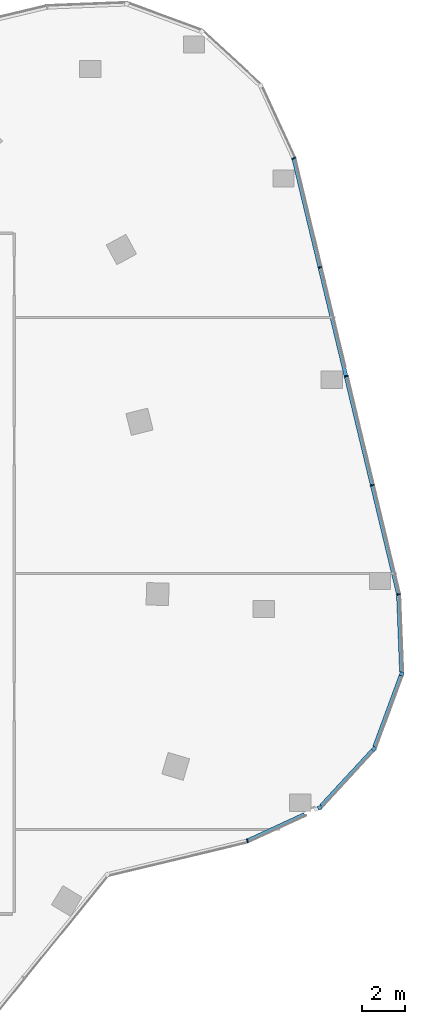
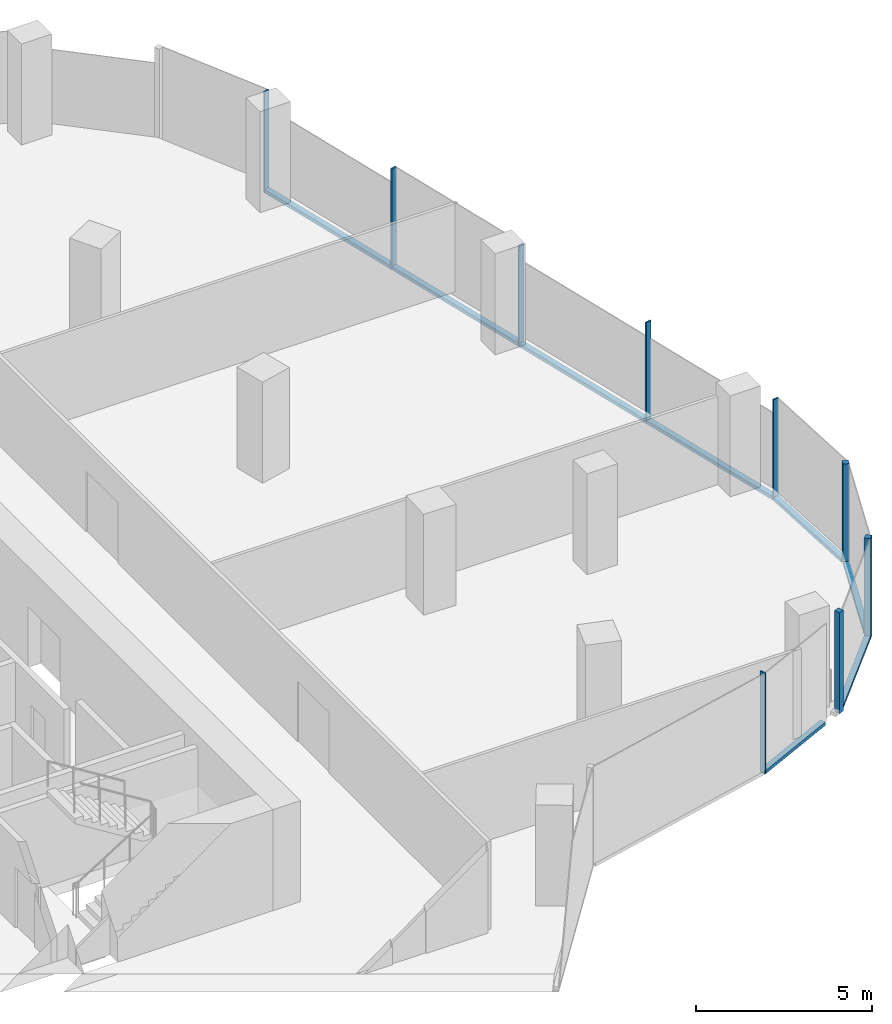
# One storey, part 9 of 23: 14 members, 6 elements without a shape of their own.
"""IFC4 building model written with IfcOpenShell, lengths in metres."""

from ifc_helpers import new_model, si_unit, direction, frame, origin, origin_2d, place, context, subcontext, project, spatial, rectangle, extrude, material, material_profile, profile_set, type_object, element, aggregate, save


model = new_model("IFC4")

# Units and contexts
model_context = context("Model", 3, precision=1e-05, world=origin(), true_north=direction((0.0, 1.0)))
body_context = subcontext(model_context, "Body", "Model", "MODEL_VIEW")
ifc_project = project(units=[si_unit("LENGTHUNIT", "METRE"), si_unit("AREAUNIT", "SQUARE_METRE"), si_unit("VOLUMEUNIT", "CUBIC_METRE"), si_unit("PLANEANGLEUNIT", "RADIAN"), si_unit("MASSUNIT", "GRAM", prefix="KILO")], contexts=[model_context])

# Site, building, storey
site_placement = place(None, origin())
site = spatial("IfcSite", under=ifc_project, at=site_placement, CompositionType="ELEMENT")
building_placement = place(site_placement, origin())
building = spatial("IfcBuilding", under=site, at=building_placement, Name="Orlundy Tower", CompositionType="ELEMENT")
storey_placement = place(building_placement, frame((0.0, 0.0, 224.5)))
storey = spatial("IfcBuildingStorey", under=building, at=storey_placement, Name="L59", CompositionType="ELEMENT", Elevation=224.5)

# Curtain wall, member
ifc_material_1 = material(Name="Aluminium bronze anodised", Category="aluminium")
curtain_wall_type = type_object("IfcCurtainWallType", Name="CW1 wall", PredefinedType="NOTDEFINED", material=ifc_material_1)
curtain_wall_1_placement = place(storey_placement, origin())
curtain_wall_1 = element("IfcCurtainWall", 1, at=curtain_wall_1_placement, inside=storey, type_object=curtain_wall_type, Name="CW1 run 013", PredefinedType="NOTDEFINED")
ifc_material_2 = material(Name="Aluminium bronze anodised", Category="aluminium")
ifc_material_profile_1 = material_profile(ifc_material_2, rectangle(XDim=0.179931640625, YDim=0.179931640625, at=origin_2d()), Name="CW1 corner post 180x180")
ifc_profile_set_1 = profile_set([ifc_material_profile_1], Name="Aluminium bronze anodised")
member_type_1 = type_object("IfcMemberType", Name="CW1 corner post 180x180", PredefinedType="MULLION", material=ifc_profile_set_1)
member_1_placement = place(storey_placement, frame((41.095703125, -4.707275390625, -0.419921875), z_axis=(0.0, 0.0, 1.0), x_axis=(0.938167941859, -0.346180462863, 0.0)))
member_1 = element("IfcMember", 2, at=member_1_placement, type_object=member_type_1, Name="CW1 mullion 33", PredefinedType="MULLION", context=body_context, shape_type="SweptSolid", body=[
    extrude(rectangle(XDim=0.179931640625, YDim=0.179931640625, at=origin_2d()), origin(), (0.0, 0.0, 1.0), 3.5),
])

curtain_wall_2_placement = place(storey_placement, origin())
curtain_wall_2 = element("IfcCurtainWall", 3, at=curtain_wall_2_placement, inside=storey, type_object=curtain_wall_type, Name="CW1 run 014", PredefinedType="NOTDEFINED")
member_2_placement = place(storey_placement, frame((39.80029296875, -8.218017578125, -0.419921875), z_axis=(0.0, 0.0, 1.0), x_axis=(0.734348182738, -0.678772971258, 0.0)))
member_2 = element("IfcMember", 4, at=member_2_placement, type_object=member_type_1, Name="CW1 mullion 34", PredefinedType="MULLION", context=body_context, shape_type="SweptSolid", body=[
    extrude(rectangle(XDim=0.179931640625, YDim=0.179931640625, at=origin_2d()), origin(), (0.0, 0.0, 1.0), 3.5),
])

curtain_wall_3_placement = place(storey_placement, origin())
curtain_wall_3 = element("IfcCurtainWall", 5, at=curtain_wall_3_placement, inside=storey, type_object=curtain_wall_type, Name="CW1 run 015", PredefinedType="NOTDEFINED")
member_3_placement = place(storey_placement, frame((37.260009765625, -10.96630859375, -0.419921875), z_axis=(0.0, 0.0, 1.0), x_axis=(0.418715973467, -0.908117246595, 0.0)))
member_3 = element("IfcMember", 6, at=member_3_placement, type_object=member_type_1, Name="CW1 mullion 35", PredefinedType="MULLION", context=body_context, shape_type="SweptSolid", body=[
    extrude(rectangle(XDim=0.179931640625, YDim=0.179931640625, at=origin_2d()), origin(), (0.0, 0.0, 1.0), 3.5),
])

# Curtain wall, members
curtain_wall_4_placement = place(storey_placement, origin())
curtain_wall_4 = element("IfcCurtainWall", 7, at=curtain_wall_4_placement, inside=storey, type_object=curtain_wall_type, Name="CW1 run 011", PredefinedType="NOTDEFINED")
ifc_material_3 = material(Name="Aluminium bronze anodised", Category="aluminium")
ifc_material_profile_2 = material_profile(ifc_material_3, rectangle(XDim=0.179931640625, YDim=0.050048828125, at=origin_2d()), Name="CW1 mullion 50x180")
ifc_profile_set_2 = profile_set([ifc_material_profile_2], Name="Aluminium bronze anodised")
member_type_2 = type_object("IfcMemberType", Name="CW1 mullion 50x180", PredefinedType="MULLION", material=ifc_profile_set_2)
member_4_placement = place(storey_placement, frame((36.04248046875, 19.460693359375, -0.419921875), z_axis=(0.0, 0.0, 1.0), x_axis=(0.944831550554, 0.327556622704, 0.0)))
member_4 = element("IfcMember", 8, at=member_4_placement, type_object=member_type_2, Name="CW1 mullion 28", PredefinedType="MULLION", context=body_context, shape_type="SweptSolid", body=[
    extrude(rectangle(XDim=0.179931640625, YDim=0.050048828125, at=origin_2d()), origin(), (0.0, 0.0, 1.0), 3.5),
])
member_5_placement = place(storey_placement, frame((37.270263671875, 14.346923828125, -0.419921875), z_axis=(0.0, 0.0, 1.0), x_axis=(0.972363523859, 0.233472005748, 0.0)))
member_5 = element("IfcMember", 9, at=member_5_placement, type_object=member_type_2, Name="CW1 mullion 29", PredefinedType="MULLION", context=body_context, shape_type="SweptSolid", body=[
    extrude(rectangle(XDim=0.179931640625, YDim=0.050048828125, at=origin_2d()), origin(), (0.0, 0.0, 1.0), 3.5),
])
member_6_placement = place(storey_placement, frame((38.49609375, 9.241943359375, -0.419921875), z_axis=(0.0, 0.0, 1.0), x_axis=(0.972363523859, 0.233472005748, 0.0)))
member_6 = element("IfcMember", 10, at=member_6_placement, type_object=member_type_2, Name="CW1 mullion 30", PredefinedType="MULLION", context=body_context, shape_type="SweptSolid", body=[
    extrude(rectangle(XDim=0.179931640625, YDim=0.050048828125, at=origin_2d()), origin(), (0.0, 0.0, 1.0), 3.5),
])
member_7_placement = place(storey_placement, frame((39.7216796875, 4.136962890625, -0.419921875), z_axis=(0.0, 0.0, 1.0), x_axis=(0.972363523859, 0.233472005748, 0.0)))
member_7 = element("IfcMember", 11, at=member_7_placement, type_object=member_type_2, Name="CW1 mullion 31", PredefinedType="MULLION", context=body_context, shape_type="SweptSolid", body=[
    extrude(rectangle(XDim=0.179931640625, YDim=0.050048828125, at=origin_2d()), origin(), (0.0, 0.0, 1.0), 3.5),
])

# Curtain wall, member
curtain_wall_5_placement = place(storey_placement, origin())
curtain_wall_5 = element("IfcCurtainWall", 12, at=curtain_wall_5_placement, inside=storey, type_object=curtain_wall_type, Name="CW1 run 012", PredefinedType="NOTDEFINED")
member_8_placement = place(storey_placement, frame((40.949462890625, -0.9765625, -0.419921875), z_axis=(0.0, 0.0, 1.0), x_axis=(0.990577259455, 0.136955076761, 0.0)))
member_8 = element("IfcMember", 13, at=member_8_placement, type_object=member_type_2, Name="CW1 mullion 32", PredefinedType="MULLION", context=body_context, shape_type="SweptSolid", body=[
    extrude(rectangle(XDim=0.179931640625, YDim=0.050048828125, at=origin_2d()), origin(), (0.0, 0.0, 1.0), 3.5),
])

curtain_wall_6_placement = place(storey_placement, origin())
curtain_wall_6 = element("IfcCurtainWall", 14, at=curtain_wall_6_placement, inside=storey, type_object=curtain_wall_type, Name="CW1 run 016", PredefinedType="NOTDEFINED")
member_9_placement = place(storey_placement, frame((33.86962890625, -12.529541015625, -0.419921875), z_axis=(0.0, 0.0, 1.0), x_axis=(0.327673002803, -0.944791195574, 0.0)))
member_9 = element("IfcMember", 15, at=member_9_placement, type_object=member_type_2, Name="CW1 mullion 36", PredefinedType="MULLION", context=body_context, shape_type="SweptSolid", body=[
    extrude(rectangle(XDim=0.179931640625, YDim=0.050048828125, at=origin_2d()), origin(), (0.0, 0.0, 1.0), 3.5),
])
aggregate(curtain_wall_6, [member_9])

# Member
ifc_material_4 = material(Name="Aluminium bronze anodised", Category="aluminium")
ifc_material_profile_3 = material_profile(ifc_material_4, rectangle(XDim=0.179931640625, YDim=0.1201171875, at=origin_2d()), Name="CW1 transom 180x120")
ifc_profile_set_3 = profile_set([ifc_material_profile_3], Name="Aluminium bronze anodised")
member_type_3 = type_object("IfcMemberType", Name="CW1 transom 180x120", PredefinedType="USERDEFINED", material=ifc_profile_set_3)
member_10_placement = place(storey_placement, frame((36.04833984375, 19.436279296875, -0.360107421875), z_axis=(0.233464990148, -0.972365208332, 0.0), x_axis=(0.972365208332, 0.233464990148, 0.0)))
member_10 = element("IfcMember", 16, at=member_10_placement, type_object=member_type_3, Name="CW1 transom", ObjectType="TRANSOM", PredefinedType="USERDEFINED", context=body_context, shape_type="SweptSolid", body=[
    extrude(rectangle(XDim=0.179931640625, YDim=0.1201171875, at=origin_2d()), origin(), (0.0, 0.0, 1.0), 20.9677734375),
])

aggregate(curtain_wall_4, [member_4, member_5, member_6, member_7, member_10])

member_11_placement = place(storey_placement, frame((40.95068359375, -1.001708984375, -0.360107421875), z_axis=(0.03907703141, -0.999236201114, 0.0), x_axis=(0.999236201114, 0.03907703141, 0.0)))
member_11 = element("IfcMember", 17, at=member_11_placement, type_object=member_type_3, Name="CW1 transom", ObjectType="TRANSOM", PredefinedType="USERDEFINED", context=body_context, shape_type="SweptSolid", body=[
    extrude(rectangle(XDim=0.179931640625, YDim=0.1201171875, at=origin_2d()), origin(), (0.0, 0.0, 1.0), 3.611083984375),
])

aggregate(curtain_wall_5, [member_8, member_11])

member_12_placement = place(storey_placement, frame((41.064453125, -4.791748046875, -0.360107421875), z_axis=(-0.346173212569, -0.938170617159, 0.0), x_axis=(0.938170617159, -0.346173212569, 0.0)))
member_12 = element("IfcMember", 18, at=member_12_placement, type_object=member_type_3, Name="CW1 transom", ObjectType="TRANSOM", PredefinedType="USERDEFINED", context=body_context, shape_type="SweptSolid", body=[
    extrude(rectangle(XDim=0.179931640625, YDim=0.1201171875, at=origin_2d()), origin(), (0.0, 0.0, 1.0), 3.554443359375),
])

aggregate(curtain_wall_1, [member_1, member_12])

member_13_placement = place(storey_placement, frame((39.7392578125, -8.283935546875, -0.360107421875), z_axis=(-0.678747720383, -0.73437152183, 0.0), x_axis=(0.73437152183, -0.678747720383, 0.0)))
member_13 = element("IfcMember", 19, at=member_13_placement, type_object=member_type_3, Name="CW1 transom", ObjectType="TRANSOM", PredefinedType="USERDEFINED", context=body_context, shape_type="SweptSolid", body=[
    extrude(rectangle(XDim=0.179931640625, YDim=0.1201171875, at=origin_2d()), origin(), (0.0, 0.0, 1.0), 3.55517578125),
])

aggregate(curtain_wall_2, [member_2, member_13])

member_14_placement = place(storey_placement, frame((36.549072265625, -11.2939453125, -0.360107421875), z_axis=(-0.908100993788, -0.418751220991, 0.0), x_axis=(0.418751220991, -0.908100993788, 0.0)))
member_14 = element("IfcMember", 20, at=member_14_placement, type_object=member_type_3, Name="CW1 transom", ObjectType="TRANSOM", PredefinedType="USERDEFINED", context=body_context, shape_type="SweptSolid", body=[
    extrude(rectangle(XDim=0.179931640625, YDim=0.1201171875, at=origin_2d()), origin(), (0.0, 0.0, 1.0), 2.925537109375),
])

aggregate(curtain_wall_3, [member_3, member_14])

save(model, "model.ifc")
